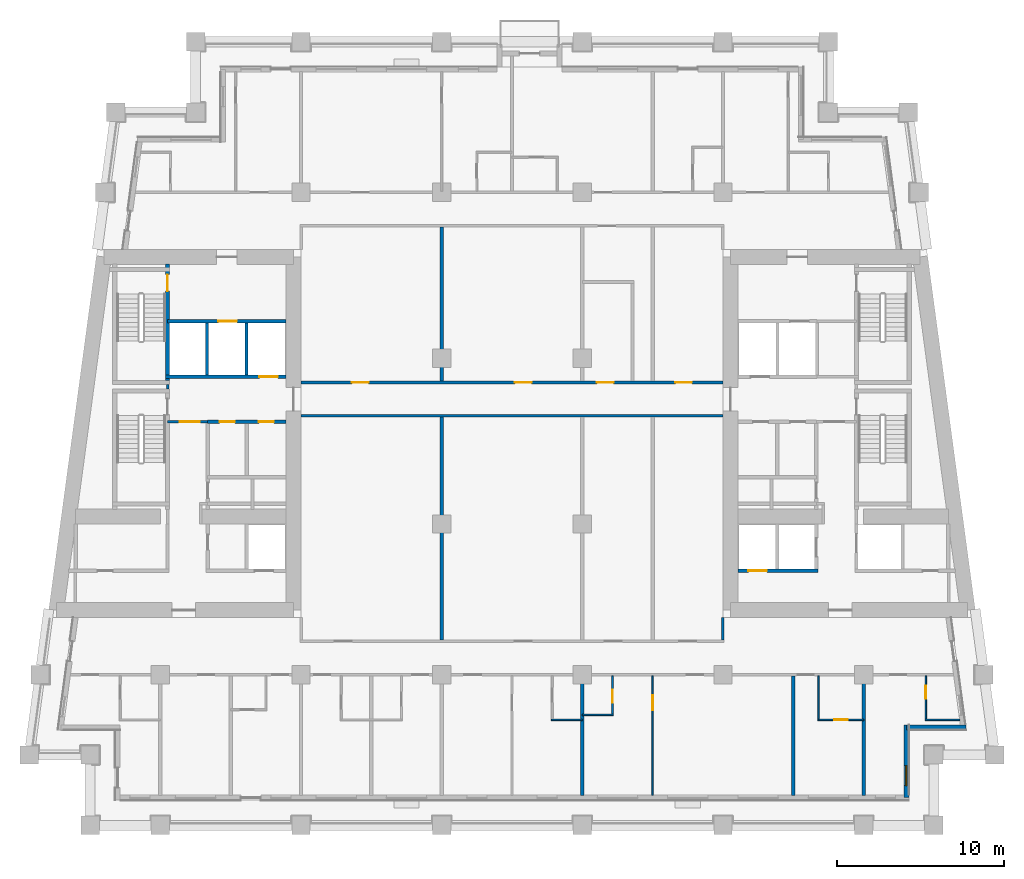
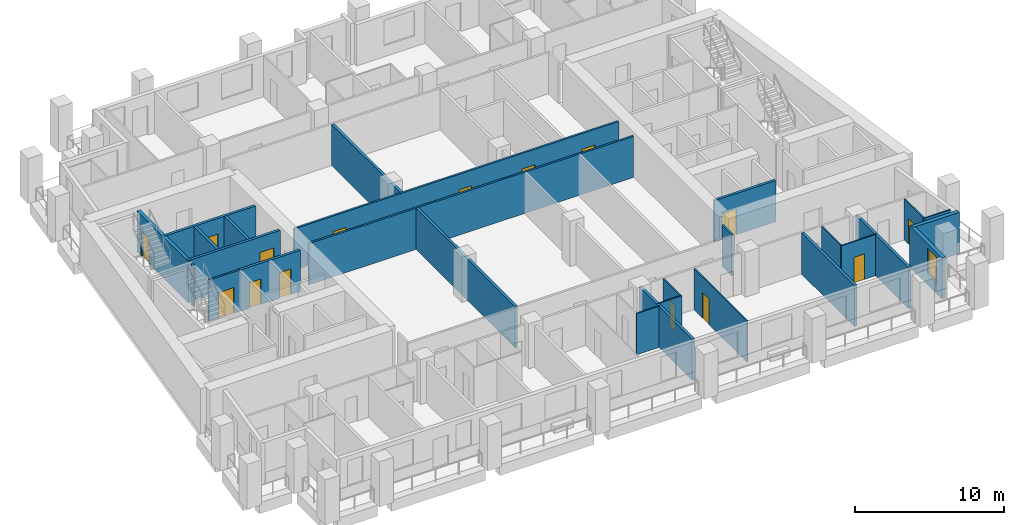
# One storey, part 4 of 13: 27 walls, 15 doors, 1 window, 16 openings.
"""IFC4 building model written with IfcOpenShell, lengths in metres."""

from ifc_helpers import new_model, si_unit, direction, frame, frame_2d, origin, place, context, subcontext, project, spatial, rectangle, extrude, material, layer, layer_set, type_object, element, fill, save


model = new_model("IFC4")

# Units and contexts
model_context = context("Model", 3, precision=1e-05, world=origin(), true_north=direction((0.0, 1.0)))
body_context = subcontext(model_context, "Body", "Model", "MODEL_VIEW")
ifc_project = project(units=[si_unit("LENGTHUNIT", "METRE"), si_unit("AREAUNIT", "SQUARE_METRE"), si_unit("VOLUMEUNIT", "CUBIC_METRE"), si_unit("PLANEANGLEUNIT", "RADIAN"), si_unit("MASSUNIT", "GRAM", prefix="KILO")], contexts=[model_context])

# Site, building, storey
site_placement = place(None, origin())
site = spatial("IfcSite", under=ifc_project, at=site_placement, CompositionType="ELEMENT")
building_placement = place(site_placement, origin())
building = spatial("IfcBuilding", under=site, at=building_placement, Name="Candeia Pilgrim Tower and Theatre", CompositionType="ELEMENT")
storey_placement = place(building_placement, frame((0.0, 0.0, 151.5)))
storey = spatial("IfcBuildingStorey", under=building, at=storey_placement, Name="L35", CompositionType="ELEMENT", Elevation=151.5)

# Wall, opening, window
ifc_material_1 = material(Name="Ceramic block masonry", Category="masonry")
ifc_layer_1 = layer(ifc_material_1, 0.300048828125)
ifc_layer_set_1 = layer_set([ifc_layer_1], Name="EW1 glazing-line wall 300")
wall_type_1 = type_object("IfcWallType", Name="EW1 glazing-line wall 300", PredefinedType="SOLIDWALL", material=ifc_layer_set_1)
wall_1_placement = place(storey_placement, frame((136.949951171875, 99.64990234375, 0.0), z_axis=(0.0, 0.0, 1.0), x_axis=(0.0, 1.0, 0.0)))
wall_1 = element("IfcWall", 1, at=wall_1_placement, inside=storey, type_object=wall_type_1, Name="External wall L35-1.0", PredefinedType="SOLIDWALL", context=body_context, shape_type="SweptSolid", body=[
    extrude(rectangle(XDim=4.35009765625, YDim=0.300048828125, at=frame_2d((2.175048828125, 0.0))), origin(), (0.0, 0.0, 1.0), 3.3798828125),
])
opening_1_placement = place(wall_1_placement, frame((0.72509765625, 0.0, 0.89990234375)))
opening_1 = element("IfcOpeningElement", 2, at=opening_1_placement, cuts=wall_1, Name="Opening W-B", PredefinedType="OPENING", context=body_context, shape_type="SweptSolid", body=[
    extrude(rectangle(XDim=1.199951171875, YDim=2.10009765625, at=frame_2d((0.60009765625, 1.050048828125))), frame((0.0, 0.16015625, 0.0), z_axis=(0.0, -1.0, 0.0), x_axis=(1.0, 0.0, 0.0)), (0.0, 0.0, 1.0), 0.320068359375),
])
ifc_material_2 = material(Name="Aluminium framed double glazing", Category="aluminium")
window_type = type_object("IfcWindowType", Name="W-B window 1200x2100", PartitioningType="SINGLE_PANEL", PredefinedType="WINDOW", material=ifc_material_2)
window_placement = place(opening_1_placement, origin())
window = element("IfcWindow", 3, at=window_placement, inside=storey, type_object=window_type, Name="Window W-B L35", OverallHeight=2.10009765625, OverallWidth=1.199951171875, PartitioningType="SINGLE_PANEL", PredefinedType="WINDOW", context=body_context, shape_type="SweptSolid", body=[
    extrude(rectangle(XDim=1.199951171875, YDim=2.10009765625, at=frame_2d((0.60009765625, 1.050048828125))), frame((0.0, 0.030029296875, 0.0), z_axis=(0.0, -1.0, 0.0), x_axis=(1.0, 0.0, 0.0)), (0.0, 0.0, 1.0), 0.06005859375),
])
fill(opening_1, window)

# Walls
wall_2_placement = place(storey_placement, frame((136.949951171875, 103.85009765625, 0.0), z_axis=(0.0, 0.0, 1.0), x_axis=(1.0, 0.0, 0.0)))
element("IfcWall", 4, at=wall_2_placement, inside=storey, type_object=wall_type_1, Name="External wall L35-2.0", PredefinedType="SOLIDWALL", context=body_context, shape_type="SweptSolid", body=[
    extrude(rectangle(XDim=3.569091796875, YDim=0.300048828125, at=frame_2d((1.78466796875, 0.0))), origin(), (0.0, 0.0, 1.0), 3.3798828125),
])
ifc_material_3 = material(Name="Gypsum board partition on steel studs", Category="steel")
ifc_layer_2 = layer(ifc_material_3, 0.10009765625)
ifc_layer_set_2 = layer_set([ifc_layer_2], Name="PW-100 room partition")
wall_type_2 = type_object("IfcWallType", Name="PW-100 room partition", PredefinedType="PARTITIONING", material=ifc_layer_set_2)
wall_3_placement = place(storey_placement, frame((115.75, 104.300048828125, 0.0), z_axis=(0.0, 0.0, 1.0), x_axis=(1.0, 0.0, 0.0)))
element("IfcWall", 5, at=wall_3_placement, inside=storey, type_object=wall_type_2, Name="Room partition L35-003", PredefinedType="PARTITIONING", context=body_context, shape_type="SweptSolid", body=[
    extrude(rectangle(XDim=1.85009765625, YDim=0.10009765625, at=frame_2d((0.925048828125, 0.0))), origin(), (0.0, 0.0, 1.0), 3.3798828125),
])

# Wall, opening, door
wall_4_placement = place(storey_placement, frame((131.64990234375, 104.300048828125, 0.0), z_axis=(0.0, 0.0, 1.0), x_axis=(1.0, 0.0, 0.0)))
wall_4 = element("IfcWall", 6, at=wall_4_placement, inside=storey, type_object=wall_type_2, Name="Room partition L35-004", PredefinedType="PARTITIONING", context=body_context, shape_type="SweptSolid", body=[
    extrude(rectangle(XDim=2.75, YDim=0.10009765625, at=frame_2d((1.375, 0.0))), origin(), (0.0, 0.0, 1.0), 3.3798828125),
])
opening_2_placement = place(wall_4_placement, frame((1.0, 0.0, 0.0)))
opening_2 = element("IfcOpeningElement", 7, at=opening_2_placement, cuts=wall_4, Name="Opening L35-D032", PredefinedType="OPENING", context=body_context, shape_type="SweptSolid", body=[
    extrude(rectangle(XDim=0.800048828125, YDim=2.10009765625, at=frame_2d((0.39990234375, 1.050048828125))), frame((0.0, 0.06005859375, 0.0), z_axis=(0.0, -1.0, 0.0), x_axis=(1.0, 0.0, 0.0)), (0.0, 0.0, 1.0), 0.1201171875),
])
ifc_material_4 = material(Name="Timber door leaf", Category="wood")
door_type_1 = type_object("IfcDoorType", Name="D-800", OperationType="NOTDEFINED", PredefinedType="DOOR", material=ifc_material_4)
door_1_placement = place(opening_2_placement, origin())
door_1 = element("IfcDoor", 8, at=door_1_placement, inside=storey, type_object=door_type_1, Name="Door L35-D032", OperationType="SINGLE_SWING_LEFT", OverallHeight=2.10009765625, OverallWidth=0.800048828125, PredefinedType="DOOR", context=body_context, shape_type="SweptSolid", body=[
    extrude(rectangle(XDim=0.800048828125, YDim=2.10009765625, at=frame_2d((0.39990234375, 1.050048828125))), frame((0.0, 0.02490234375, 0.0), z_axis=(0.0, -1.0, 0.0), x_axis=(1.0, 0.0, 0.0)), (0.0, 0.0, 1.0), 0.050048828125),
])
fill(opening_2, door_1)

# Walls
wall_5_placement = place(storey_placement, frame((138.070068359375, 104.300048828125, 0.0), z_axis=(0.0, 0.0, 1.0), x_axis=(1.0, 0.0, 0.0)))
element("IfcWall", 9, at=wall_5_placement, inside=storey, type_object=wall_type_2, Name="Room partition L35-005", PredefinedType="PARTITIONING", context=body_context, shape_type="SweptSolid", body=[
    extrude(rectangle(XDim=2.07568359375, YDim=0.10009765625, at=frame_2d((1.037841796875, 0.0))), origin(), (0.0, 0.0, 1.0), 3.3798828125),
])
wall_6_placement = place(storey_placement, frame((117.60009765625, 104.60009765625, 0.0), z_axis=(0.0, 0.0, 1.0), x_axis=(1.0, 0.0, 0.0)))
element("IfcWall", 10, at=wall_6_placement, inside=storey, type_object=wall_type_2, Name="Room partition L35-006", PredefinedType="PARTITIONING", context=body_context, shape_type="SweptSolid", body=[
    extrude(rectangle(XDim=1.849853515625, YDim=0.10009765625, at=frame_2d((0.9248046875, 0.0))), origin(), (0.0, 0.0, 1.0), 3.3798828125),
])

# Wall, opening, door
wall_7_placement = place(storey_placement, frame((119.39990234375, 104.64990234375, 0.0), z_axis=(0.0, 0.0, 1.0), x_axis=(0.0, 1.0, 0.0)))
wall_7 = element("IfcWall", 11, at=wall_7_placement, inside=storey, type_object=wall_type_2, Name="Room partition L35-090", PredefinedType="PARTITIONING", context=body_context, shape_type="SweptSolid", body=[
    extrude(rectangle(XDim=2.275146484375, YDim=0.10009765625, at=frame_2d((1.1376953125, 0.0))), origin(), (0.0, 0.0, 1.0), 3.3798828125),
])
opening_3_placement = place(wall_7_placement, frame((0.659912109375, 0.0, 0.0)))
opening_3 = element("IfcOpeningElement", 12, at=opening_3_placement, cuts=wall_7, Name="Opening L35-D030", PredefinedType="OPENING", context=body_context, shape_type="SweptSolid", body=[
    extrude(rectangle(XDim=0.800048828125, YDim=2.10009765625, at=frame_2d((0.39990234375, 1.050048828125))), frame((0.0, 0.06005859375, 0.0), z_axis=(0.0, -1.0, 0.0), x_axis=(1.0, 0.0, 0.0)), (0.0, 0.0, 1.0), 0.1201171875),
])
door_2_placement = place(opening_3_placement, origin())
door_2 = element("IfcDoor", 13, at=door_2_placement, inside=storey, type_object=door_type_1, Name="Door L35-D030", OperationType="SINGLE_SWING_LEFT", OverallHeight=2.10009765625, OverallWidth=0.800048828125, PredefinedType="DOOR", context=body_context, shape_type="SweptSolid", body=[
    extrude(rectangle(XDim=0.800048828125, YDim=2.10009765625, at=frame_2d((0.39990234375, 1.050048828125))), frame((0.0, 0.02490234375, 0.0), z_axis=(0.0, -1.0, 0.0), x_axis=(1.0, 0.0, 0.0)), (0.0, 0.0, 1.0), 0.050048828125),
])
fill(opening_3, door_2)

wall_8_placement = place(storey_placement, frame((121.800048828125, 99.7900390625, 0.0), z_axis=(0.0, 0.0, 1.0), x_axis=(0.0, 1.0, 0.0)))
wall_8 = element("IfcWall", 14, at=wall_8_placement, inside=storey, type_object=wall_type_2, Name="Room partition L35-092", PredefinedType="PARTITIONING", context=body_context, shape_type="SweptSolid", body=[
    extrude(rectangle(XDim=7.135009765625, YDim=0.10009765625, at=frame_2d((3.5673828125, 0.0))), origin(), (0.0, 0.0, 1.0), 3.3798828125),
])
opening_4_placement = place(wall_8_placement, frame((5.074951171875, 0.0, 0.0)))
opening_4 = element("IfcOpeningElement", 15, at=opening_4_placement, cuts=wall_8, Name="Opening L35-D029", PredefinedType="OPENING", context=body_context, shape_type="SweptSolid", body=[
    extrude(rectangle(XDim=0.89990234375, YDim=2.10009765625, at=frame_2d((0.449951171875, 1.050048828125))), frame((0.0, 0.06005859375, 0.0), z_axis=(0.0, -1.0, 0.0), x_axis=(1.0, 0.0, 0.0)), (0.0, 0.0, 1.0), 0.1201171875),
])
door_type_2 = type_object("IfcDoorType", Name="D-900", OperationType="NOTDEFINED", PredefinedType="DOOR", material=ifc_material_4)
door_3_placement = place(opening_4_placement, origin())
door_3 = element("IfcDoor", 16, at=door_3_placement, inside=storey, type_object=door_type_2, Name="Door L35-D029", OperationType="SINGLE_SWING_RIGHT", OverallHeight=2.10009765625, OverallWidth=0.89990234375, PredefinedType="DOOR", context=body_context, shape_type="SweptSolid", body=[
    extrude(rectangle(XDim=0.89990234375, YDim=2.10009765625, at=frame_2d((0.449951171875, 1.050048828125))), frame((0.0, 0.02490234375, 0.0), z_axis=(0.0, -1.0, 0.0), x_axis=(1.0, 0.0, 0.0)), (0.0, 0.0, 1.0), 0.050048828125),
])
fill(opening_4, door_3)

# Wall
wall_9_placement = place(storey_placement, frame((131.699951171875, 104.35009765625, 0.0), z_axis=(0.0, 0.0, 1.0), x_axis=(0.0, 1.0, 0.0)))
element("IfcWall", 17, at=wall_9_placement, inside=storey, type_object=wall_type_2, Name="Room partition L35-109", PredefinedType="PARTITIONING", context=body_context, shape_type="SweptSolid", body=[
    extrude(rectangle(XDim=2.574951171875, YDim=0.10009765625, at=frame_2d((1.28759765625, 0.0))), origin(), (0.0, 0.0, 1.0), 3.3798828125),
])

# Wall, opening, door
wall_10_placement = place(storey_placement, frame((138.1201171875, 104.35009765625, 0.0), z_axis=(0.0, 0.0, 1.0), x_axis=(0.0, 1.0, 0.0)))
wall_10 = element("IfcWall", 18, at=wall_10_placement, inside=storey, type_object=wall_type_2, Name="Room partition L35-121", PredefinedType="PARTITIONING", context=body_context, shape_type="SweptSolid", body=[
    extrude(rectangle(XDim=2.574951171875, YDim=0.10009765625, at=frame_2d((1.28759765625, 0.0))), origin(), (0.0, 0.0, 1.0), 3.3798828125),
])
opening_5_placement = place(wall_10_placement, frame((1.199951171875, 0.0, 0.0)))
opening_5 = element("IfcOpeningElement", 19, at=opening_5_placement, cuts=wall_10, Name="Opening L35-D034", PredefinedType="OPENING", context=body_context, shape_type="SweptSolid", body=[
    extrude(rectangle(XDim=0.800048828125, YDim=2.10009765625, at=frame_2d((0.39990234375, 1.050048828125))), frame((0.0, 0.06005859375, 0.0), z_axis=(0.0, -1.0, 0.0), x_axis=(1.0, 0.0, 0.0)), (0.0, 0.0, 1.0), 0.1201171875),
])
door_4_placement = place(opening_5_placement, origin())
door_4 = element("IfcDoor", 20, at=door_4_placement, inside=storey, type_object=door_type_1, Name="Door L35-D034", OperationType="SINGLE_SWING_LEFT", OverallHeight=2.10009765625, OverallWidth=0.800048828125, PredefinedType="DOOR", context=body_context, shape_type="SweptSolid", body=[
    extrude(rectangle(XDim=0.800048828125, YDim=2.10009765625, at=frame_2d((0.39990234375, 1.050048828125))), frame((0.0, 0.02490234375, 0.0), z_axis=(0.0, -1.0, 0.0), x_axis=(1.0, 0.0, 0.0)), (0.0, 0.0, 1.0), 0.050048828125),
])
fill(opening_5, door_4)

ifc_layer_3 = layer(ifc_material_3, 0.14990234375)
ifc_layer_set_3 = layer_set([ifc_layer_3], Name="PW-150 lobby wall")
wall_type_3 = type_object("IfcWallType", Name="PW-150 lobby wall", PredefinedType="PARTITIONING", material=ifc_layer_set_3)
wall_11_placement = place(storey_placement, frame((92.826904296875, 122.10009765625, 0.0), z_axis=(0.0, 0.0, 1.0), x_axis=(1.0, 0.0, 0.0)))
wall_11 = element("IfcWall", 21, at=wall_11_placement, inside=storey, type_object=wall_type_3, Name="Lobby wall L35-024", PredefinedType="PARTITIONING", context=body_context, shape_type="SweptSolid", body=[
    extrude(rectangle(XDim=2.400146484375, YDim=0.14990234375, at=frame_2d((1.2001953125, 0.0))), origin(), (0.0, 0.0, 1.0), 3.3798828125),
])
opening_6_placement = place(wall_11_placement, frame((0.72509765625, 0.0, 0.0)))
opening_6 = element("IfcOpeningElement", 22, at=opening_6_placement, cuts=wall_11, Name="Opening L35-D001", PredefinedType="OPENING", context=body_context, shape_type="SweptSolid", body=[
    extrude(rectangle(XDim=1.199951171875, YDim=2.10009765625, at=frame_2d((0.60009765625, 1.050048828125))), frame((0.0, 0.0849609375, 0.0), z_axis=(0.0, -1.0, 0.0), x_axis=(1.0, 0.0, 0.0)), (0.0, 0.0, 1.0), 0.169921875),
])
ifc_material_5 = material(Name="Steel fire door set", Category="steel")
door_type_3 = type_object("IfcDoorType", Name="D-1200-FD60", OperationType="NOTDEFINED", PredefinedType="DOOR", material=ifc_material_5)
door_5_placement = place(opening_6_placement, origin())
door_5 = element("IfcDoor", 23, at=door_5_placement, inside=storey, type_object=door_type_3, Name="Door L35-D001", OperationType="SINGLE_SWING_RIGHT", OverallHeight=2.10009765625, OverallWidth=1.199951171875, PredefinedType="DOOR", context=body_context, shape_type="SweptSolid", body=[
    extrude(rectangle(XDim=1.199951171875, YDim=2.10009765625, at=frame_2d((0.60009765625, 1.050048828125))), frame((0.0, 0.02490234375, 0.0), z_axis=(0.0, -1.0, 0.0), x_axis=(1.0, 0.0, 0.0)), (0.0, 0.0, 1.0), 0.050048828125),
])
fill(opening_6, door_5)

# Walls
wall_12_placement = place(storey_placement, frame((92.826904296875, 124.074951171875, 0.0), z_axis=(0.0, 0.0, 1.0), x_axis=(0.0, 1.0, 0.0)))
element("IfcWall", 24, at=wall_12_placement, inside=storey, type_object=wall_type_3, Name="Lobby wall L35-056", PredefinedType="PARTITIONING", context=body_context, shape_type="SweptSolid", body=[
    extrude(rectangle(XDim=0.25, YDim=0.14990234375, at=frame_2d((0.125, 0.0))), origin(), (0.0, 0.0, 1.0), 3.3798828125),
])
ifc_layer_4 = layer(ifc_material_3, 0.14990234375)
ifc_layer_set_4 = layer_set([ifc_layer_4], Name="PW-150 unit wall")
wall_type_4 = type_object("IfcWallType", Name="PW-150 unit wall", PredefinedType="PARTITIONING", material=ifc_layer_set_4)
wall_13_placement = place(storey_placement, frame((100.800048828125, 122.449951171875, 0.0), z_axis=(0.0, 0.0, 1.0), x_axis=(1.0, 0.0, 0.0)))
element("IfcWall", 25, at=wall_13_placement, inside=storey, type_object=wall_type_4, Name="Unit wall L35-026", PredefinedType="PARTITIONING", context=body_context, shape_type="SweptSolid", body=[
    extrude(rectangle(XDim=25.199951171875, YDim=0.14990234375, at=frame_2d((12.60009765625, 0.0))), origin(), (0.0, 0.0, 1.0), 3.3798828125),
])

# Wall, openings, doors
wall_14_placement = place(storey_placement, frame((100.800048828125, 124.449951171875, 0.0), z_axis=(0.0, 0.0, 1.0), x_axis=(1.0, 0.0, 0.0)))
wall_14 = element("IfcWall", 26, at=wall_14_placement, inside=storey, type_object=wall_type_4, Name="Unit wall L35-031", PredefinedType="PARTITIONING", context=body_context, shape_type="SweptSolid", body=[
    extrude(rectangle(XDim=25.199951171875, YDim=0.14990234375, at=frame_2d((12.60009765625, 0.0))), origin(), (0.0, 0.0, 1.0), 3.3798828125),
])
opening_7_placement = place(wall_14_placement, frame((3.030029296875, 0.0, 0.0)))
opening_7 = element("IfcOpeningElement", 27, at=opening_7_placement, cuts=wall_14, Name="Opening L35-D053", PredefinedType="OPENING", context=body_context, shape_type="SweptSolid", body=[
    extrude(rectangle(XDim=1.0, YDim=2.10009765625, at=frame_2d((0.5, 1.050048828125))), frame((0.0, 0.0849609375, 0.0), z_axis=(0.0, -1.0, 0.0), x_axis=(1.0, 0.0, 0.0)), (0.0, 0.0, 1.0), 0.169921875),
])
opening_8_placement = place(wall_14_placement, frame((12.77001953125, 0.0, 0.0)))
opening_8 = element("IfcOpeningElement", 28, at=opening_8_placement, cuts=wall_14, Name="Opening L35-D054", PredefinedType="OPENING", context=body_context, shape_type="SweptSolid", body=[
    extrude(rectangle(XDim=1.0, YDim=2.10009765625, at=frame_2d((0.5, 1.050048828125))), frame((0.0, 0.0849609375, 0.0), z_axis=(0.0, -1.0, 0.0), x_axis=(1.0, 0.0, 0.0)), (0.0, 0.0, 1.0), 0.169921875),
])
opening_9_placement = place(wall_14_placement, frame((17.669921875, 0.0, 0.0)))
opening_9 = element("IfcOpeningElement", 29, at=opening_9_placement, cuts=wall_14, Name="Opening L35-D055", PredefinedType="OPENING", context=body_context, shape_type="SweptSolid", body=[
    extrude(rectangle(XDim=1.0, YDim=2.10009765625, at=frame_2d((0.5, 1.050048828125))), frame((0.0, 0.0849609375, 0.0), z_axis=(0.0, -1.0, 0.0), x_axis=(1.0, 0.0, 0.0)), (0.0, 0.0, 1.0), 0.169921875),
])
opening_10_placement = place(wall_14_placement, frame((22.35009765625, 0.0, 0.0)))
opening_10 = element("IfcOpeningElement", 30, at=opening_10_placement, cuts=wall_14, Name="Opening L35-D056", PredefinedType="OPENING", context=body_context, shape_type="SweptSolid", body=[
    extrude(rectangle(XDim=1.0, YDim=2.10009765625, at=frame_2d((0.5, 1.050048828125))), frame((0.0, 0.0849609375, 0.0), z_axis=(0.0, -1.0, 0.0), x_axis=(1.0, 0.0, 0.0)), (0.0, 0.0, 1.0), 0.169921875),
])
door_type_4 = type_object("IfcDoorType", Name="D-1000-FD30S", OperationType="NOTDEFINED", PredefinedType="DOOR", material=ifc_material_5)
door_6_placement = place(opening_7_placement, origin())
door_6 = element("IfcDoor", 31, at=door_6_placement, inside=storey, type_object=door_type_4, Name="Door L35-D053", OperationType="SINGLE_SWING_RIGHT", OverallHeight=2.10009765625, OverallWidth=1.0, PredefinedType="DOOR", context=body_context, shape_type="SweptSolid", body=[
    extrude(rectangle(XDim=1.0, YDim=2.10009765625, at=frame_2d((0.5, 1.050048828125))), frame((0.0, 0.02490234375, 0.0), z_axis=(0.0, -1.0, 0.0), x_axis=(1.0, 0.0, 0.0)), (0.0, 0.0, 1.0), 0.050048828125),
])
fill(opening_7, door_6)
door_7_placement = place(opening_8_placement, origin())
door_7 = element("IfcDoor", 32, at=door_7_placement, inside=storey, type_object=door_type_4, Name="Door L35-D054", OperationType="SINGLE_SWING_LEFT", OverallHeight=2.10009765625, OverallWidth=1.0, PredefinedType="DOOR", context=body_context, shape_type="SweptSolid", body=[
    extrude(rectangle(XDim=1.0, YDim=2.10009765625, at=frame_2d((0.5, 1.050048828125))), frame((0.0, 0.02490234375, 0.0), z_axis=(0.0, -1.0, 0.0), x_axis=(1.0, 0.0, 0.0)), (0.0, 0.0, 1.0), 0.050048828125),
])
fill(opening_8, door_7)
door_8_placement = place(opening_9_placement, origin())
door_8 = element("IfcDoor", 33, at=door_8_placement, inside=storey, type_object=door_type_4, Name="Door L35-D055", OperationType="SINGLE_SWING_RIGHT", OverallHeight=2.10009765625, OverallWidth=1.0, PredefinedType="DOOR", context=body_context, shape_type="SweptSolid", body=[
    extrude(rectangle(XDim=1.0, YDim=2.10009765625, at=frame_2d((0.5, 1.050048828125))), frame((0.0, 0.02490234375, 0.0), z_axis=(0.0, -1.0, 0.0), x_axis=(1.0, 0.0, 0.0)), (0.0, 0.0, 1.0), 0.050048828125),
])
fill(opening_9, door_8)
door_9_placement = place(opening_10_placement, origin())
door_9 = element("IfcDoor", 34, at=door_9_placement, inside=storey, type_object=door_type_4, Name="Door L35-D056", OperationType="SINGLE_SWING_LEFT", OverallHeight=2.10009765625, OverallWidth=1.0, PredefinedType="DOOR", context=body_context, shape_type="SweptSolid", body=[
    extrude(rectangle(XDim=1.0, YDim=2.10009765625, at=frame_2d((0.5, 1.050048828125))), frame((0.0, 0.02490234375, 0.0), z_axis=(0.0, -1.0, 0.0), x_axis=(1.0, 0.0, 0.0)), (0.0, 0.0, 1.0), 0.050048828125),
])
fill(opening_10, door_9)

# Walls
wall_15_placement = place(storey_placement, frame((126.0, 109.074951171875, 0.0), z_axis=(0.0, 0.0, 1.0), x_axis=(0.0, 1.0, 0.0)))
element("IfcWall", 35, at=wall_15_placement, inside=storey, type_object=wall_type_4, Name="Unit wall L35-098", PredefinedType="PARTITIONING", context=body_context, shape_type="SweptSolid", body=[
    extrude(rectangle(XDim=1.324951171875, YDim=0.14990234375, at=frame_2d((0.66259765625, 0.0))), origin(), (0.0, 0.0, 1.0), 3.3798828125),
])
ifc_layer_5 = layer(ifc_material_3, 0.199951171875)
ifc_layer_set_5 = layer_set([ifc_layer_5], Name="PW-200 party wall")
wall_type_5 = type_object("IfcWallType", Name="PW-200 party wall", PredefinedType="PARTITIONING", material=ifc_layer_set_5)
wall_16_placement = place(storey_placement, frame((109.199951171875, 109.074951171875, 0.0), z_axis=(0.0, 0.0, 1.0), x_axis=(0.0, 1.0, 0.0)))
element("IfcWall", 36, at=wall_16_placement, inside=storey, type_object=wall_type_5, Name="Party wall L35-080", PredefinedType="PARTITIONING", context=body_context, shape_type="SweptSolid", body=[
    extrude(rectangle(XDim=13.300048828125, YDim=0.199951171875, at=frame_2d((6.64990234375, 0.0))), origin(), (0.0, 0.0, 1.0), 3.3798828125),
])
wall_17_placement = place(storey_placement, frame((109.199951171875, 124.52490234375, 0.0), z_axis=(0.0, 0.0, 1.0), x_axis=(0.0, 1.0, 0.0)))
element("IfcWall", 37, at=wall_17_placement, inside=storey, type_object=wall_type_5, Name="Party wall L35-081", PredefinedType="PARTITIONING", context=body_context, shape_type="SweptSolid", body=[
    extrude(rectangle(XDim=9.2001953125, YDim=0.199951171875, at=frame_2d((4.60009765625, 0.0))), origin(), (0.0, 0.0, 1.0), 3.3798828125),
])
for number, where, z_axis, x_axis, name in (
    (38, (117.60009765625, 99.7900390625, 0.0), (0.0, 0.0, 1.0), (0.0, 1.0, 0.0), "Party wall L35-087"),
    (39, (130.199951171875, 99.7900390625, 0.0), (0.0, 0.0, 1.0), (0.0, 1.0, 0.0), "Party wall L35-105"),
    (40, (134.39990234375, 99.7900390625, 0.0), (0.0, 0.0, 1.0), (0.0, 1.0, 0.0), "Party wall L35-117"),
):
    element("IfcWall", number, at=place(storey_placement, frame(where, z_axis=z_axis, x_axis=x_axis)), inside=storey, type_object=wall_type_5, Name=name, PredefinedType="PARTITIONING", context=body_context, shape_type="SweptSolid", body=[
        extrude(rectangle(XDim=7.135009765625, YDim=0.199951171875, at=frame_2d((3.5673828125, 0.0))), origin(), (0.0, 0.0, 1.0), 3.3798828125),
    ])

# Wall, opening, door
ifc_material_6 = material(Name="Concrete C40/50", Category="concrete")
ifc_layer_6 = layer(ifc_material_6, 0.199951171875)
ifc_layer_set_6 = layer_set([ifc_layer_6], Name="SW-200 shaft wall")
wall_type_6 = type_object("IfcWallType", Name="SW-200 shaft wall", PredefinedType="PARTITIONING", material=ifc_layer_set_6)
wall_18_placement = place(storey_placement, frame((126.89990234375, 113.199951171875, 0.0), z_axis=(0.0, 0.0, 1.0), x_axis=(1.0, 0.0, 0.0)))
wall_18 = element("IfcWall", 41, at=wall_18_placement, inside=storey, type_object=wall_type_6, Name="Shaft wall L35-012", PredefinedType="PARTITIONING", context=body_context, shape_type="SweptSolid", body=[
    extrude(rectangle(XDim=4.773193359375, YDim=0.199951171875, at=frame_2d((2.38671875, 0.0))), origin(), (0.0, 0.0, 1.0), 3.3798828125),
])
opening_11_placement = place(wall_18_placement, frame((0.617919921875, 0.0, 0.0)))
opening_11 = element("IfcOpeningElement", 42, at=opening_11_placement, cuts=wall_18, Name="Opening L35-LD08", PredefinedType="OPENING", context=body_context, shape_type="SweptSolid", body=[
    extrude(rectangle(XDim=1.10009765625, YDim=2.10009765625, at=frame_2d((0.550048828125, 1.050048828125))), frame((0.0, 0.10986328125, 0.0), z_axis=(0.0, -1.0, 0.0), x_axis=(1.0, 0.0, 0.0)), (0.0, 0.0, 1.0), 0.219970703125),
])
ifc_material_7 = material(Name="Glazed aluminium landing door", Category="aluminium")
door_type_5 = type_object("IfcDoorType", Name="LD-1100-EI120", OperationType="SLIDING_TO_LEFT", PredefinedType="DOOR", material=ifc_material_7)
door_10_placement = place(opening_11_placement, origin())
door_10 = element("IfcDoor", 43, at=door_10_placement, inside=storey, type_object=door_type_5, Name="Landing door 08 L35", OperationType="SLIDING_TO_LEFT", OverallHeight=2.10009765625, OverallWidth=1.10009765625, PredefinedType="DOOR", context=body_context, shape_type="SweptSolid", body=[
    extrude(rectangle(XDim=1.10009765625, YDim=2.10009765625, at=frame_2d((0.550048828125, 1.050048828125))), frame((0.0, 0.02490234375, 0.0), z_axis=(0.0, -1.0, 0.0), x_axis=(1.0, 0.0, 0.0)), (0.0, 0.0, 1.0), 0.050048828125),
])
fill(opening_11, door_10)

# Wall, openings, doors
wall_19_placement = place(storey_placement, frame((95.22705078125, 122.10009765625, 0.0), z_axis=(0.0, 0.0, 1.0), x_axis=(1.0, 0.0, 0.0)))
wall_19 = element("IfcWall", 44, at=wall_19_placement, inside=storey, type_object=wall_type_6, Name="Shaft wall L35-022", PredefinedType="PARTITIONING", context=body_context, shape_type="SweptSolid", body=[
    extrude(rectangle(XDim=4.6728515625, YDim=0.199951171875, at=frame_2d((2.33642578125, 0.0))), origin(), (0.0, 0.0, 1.0), 3.3798828125),
])
opening_12_placement = place(wall_19_placement, frame((0.718017578125, 0.0, 0.0)))
opening_12 = element("IfcOpeningElement", 45, at=opening_12_placement, cuts=wall_19, Name="Opening L35-D002", PredefinedType="OPENING", context=body_context, shape_type="SweptSolid", body=[
    extrude(rectangle(XDim=0.89990234375, YDim=2.10009765625, at=frame_2d((0.449951171875, 1.050048828125))), frame((0.0, 0.10986328125, 0.0), z_axis=(0.0, -1.0, 0.0), x_axis=(1.0, 0.0, 0.0)), (0.0, 0.0, 1.0), 0.219970703125),
])
opening_13_placement = place(wall_19_placement, frame((3.054931640625, 0.0, 0.0)))
opening_13 = element("IfcOpeningElement", 46, at=opening_13_placement, cuts=wall_19, Name="Opening L35-D003", PredefinedType="OPENING", context=body_context, shape_type="SweptSolid", body=[
    extrude(rectangle(XDim=0.89990234375, YDim=2.10009765625, at=frame_2d((0.449951171875, 1.050048828125))), frame((0.0, 0.10986328125, 0.0), z_axis=(0.0, -1.0, 0.0), x_axis=(1.0, 0.0, 0.0)), (0.0, 0.0, 1.0), 0.219970703125),
])
door_type_6 = type_object("IfcDoorType", Name="D-900-FD60", OperationType="NOTDEFINED", PredefinedType="DOOR", material=ifc_material_5)
door_11_placement = place(opening_12_placement, origin())
door_11 = element("IfcDoor", 47, at=door_11_placement, inside=storey, type_object=door_type_6, Name="Door L35-D002", OperationType="SINGLE_SWING_LEFT", OverallHeight=2.10009765625, OverallWidth=0.89990234375, PredefinedType="DOOR", context=body_context, shape_type="SweptSolid", body=[
    extrude(rectangle(XDim=0.89990234375, YDim=2.10009765625, at=frame_2d((0.449951171875, 1.050048828125))), frame((0.0, 0.02490234375, 0.0), z_axis=(0.0, -1.0, 0.0), x_axis=(1.0, 0.0, 0.0)), (0.0, 0.0, 1.0), 0.050048828125),
])
fill(opening_12, door_11)
door_12_placement = place(opening_13_placement, origin())
door_12 = element("IfcDoor", 48, at=door_12_placement, inside=storey, type_object=door_type_6, Name="Door L35-D003", OperationType="SINGLE_SWING_RIGHT", OverallHeight=2.10009765625, OverallWidth=0.89990234375, PredefinedType="DOOR", context=body_context, shape_type="SweptSolid", body=[
    extrude(rectangle(XDim=0.89990234375, YDim=2.10009765625, at=frame_2d((0.449951171875, 1.050048828125))), frame((0.0, 0.02490234375, 0.0), z_axis=(0.0, -1.0, 0.0), x_axis=(1.0, 0.0, 0.0)), (0.0, 0.0, 1.0), 0.050048828125),
])
fill(opening_13, door_12)

# Wall, opening, door
wall_20_placement = place(storey_placement, frame((92.701904296875, 124.800048828125, 0.0), z_axis=(0.0, 0.0, 1.0), x_axis=(1.0, 0.0, 0.0)))
wall_20 = element("IfcWall", 49, at=wall_20_placement, inside=storey, type_object=wall_type_6, Name="Shaft wall L35-032", PredefinedType="PARTITIONING", context=body_context, shape_type="SweptSolid", body=[
    extrude(rectangle(XDim=7.197998046875, YDim=0.199951171875, at=frame_2d((3.59912109375, 0.0))), origin(), (0.0, 0.0, 1.0), 3.3798828125),
])
opening_14_placement = place(wall_20_placement, frame((5.60888671875, 0.0, 0.0)))
opening_14 = element("IfcOpeningElement", 50, at=opening_14_placement, cuts=wall_20, Name="Opening L35-LD02", PredefinedType="OPENING", context=body_context, shape_type="SweptSolid", body=[
    extrude(rectangle(XDim=1.10009765625, YDim=2.10009765625, at=frame_2d((0.550048828125, 1.050048828125))), frame((0.0, 0.10986328125, 0.0), z_axis=(0.0, -1.0, 0.0), x_axis=(1.0, 0.0, 0.0)), (0.0, 0.0, 1.0), 0.219970703125),
])
door_13_placement = place(opening_14_placement, origin())
door_13 = element("IfcDoor", 51, at=door_13_placement, inside=storey, type_object=door_type_5, Name="Landing door 02 L35", OperationType="SLIDING_TO_LEFT", OverallHeight=2.10009765625, OverallWidth=1.10009765625, PredefinedType="DOOR", context=body_context, shape_type="SweptSolid", body=[
    extrude(rectangle(XDim=1.10009765625, YDim=2.10009765625, at=frame_2d((0.550048828125, 1.050048828125))), frame((0.0, 0.02490234375, 0.0), z_axis=(0.0, -1.0, 0.0), x_axis=(1.0, 0.0, 0.0)), (0.0, 0.0, 1.0), 0.050048828125),
])
fill(opening_14, door_13)

wall_21_placement = place(storey_placement, frame((92.826904296875, 128.10009765625, 0.0), z_axis=(0.0, 0.0, 1.0), x_axis=(1.0, 0.0, 0.0)))
wall_21 = element("IfcWall", 52, at=wall_21_placement, inside=storey, type_object=wall_type_6, Name="Shaft wall L35-035", PredefinedType="PARTITIONING", context=body_context, shape_type="SweptSolid", body=[
    extrude(rectangle(XDim=7.072998046875, YDim=0.199951171875, at=frame_2d((3.53662109375, 0.0))), origin(), (0.0, 0.0, 1.0), 3.3798828125),
])
opening_15_placement = place(wall_21_placement, frame((3.0419921875, 0.0, 0.0)))
opening_15 = element("IfcOpeningElement", 53, at=opening_15_placement, cuts=wall_21, Name="Opening L35-LD01", PredefinedType="OPENING", context=body_context, shape_type="SweptSolid", body=[
    extrude(rectangle(XDim=1.10009765625, YDim=2.10009765625, at=frame_2d((0.550048828125, 1.050048828125))), frame((0.0, 0.10986328125, 0.0), z_axis=(0.0, -1.0, 0.0), x_axis=(1.0, 0.0, 0.0)), (0.0, 0.0, 1.0), 0.219970703125),
])
door_14_placement = place(opening_15_placement, origin())
door_14 = element("IfcDoor", 54, at=door_14_placement, inside=storey, type_object=door_type_5, Name="Landing door 01 L35", OperationType="SLIDING_TO_LEFT", OverallHeight=2.10009765625, OverallWidth=1.10009765625, PredefinedType="DOOR", context=body_context, shape_type="SweptSolid", body=[
    extrude(rectangle(XDim=1.10009765625, YDim=2.10009765625, at=frame_2d((0.550048828125, 1.050048828125))), frame((0.0, 0.02490234375, 0.0), z_axis=(0.0, -1.0, 0.0), x_axis=(1.0, 0.0, 0.0)), (0.0, 0.0, 1.0), 0.050048828125),
])
fill(opening_15, door_14)

# Walls
for number, where, z_axis, x_axis, name in (
    (55, (95.184814453125, 124.89990234375, 0.0), (0.0, 0.0, 1.0), (0.0, 1.0, 0.0), "Shaft wall L35-061"),
    (56, (97.542236328125, 124.89990234375, 0.0), (0.0, 0.0, 1.0), (0.0, 1.0, 0.0), "Shaft wall L35-066"),
):
    element("IfcWall", number, at=place(storey_placement, frame(where, z_axis=z_axis, x_axis=x_axis)), inside=storey, type_object=wall_type_6, Name=name, PredefinedType="PARTITIONING", context=body_context, shape_type="SweptSolid", body=[
        extrude(rectangle(XDim=3.10009765625, YDim=0.199951171875, at=frame_2d((1.550048828125, 0.0))), origin(), (0.0, 0.0, 1.0), 3.3798828125),
    ])

# Wall, opening, door
ifc_layer_7 = layer(ifc_material_6, 0.25)
ifc_layer_set_7 = layer_set([ifc_layer_7], Name="SW-250 stair wall")
wall_type_7 = type_object("IfcWallType", Name="SW-250 stair wall", PredefinedType="PARTITIONING", material=ifc_layer_set_7)
wall_22_placement = place(storey_placement, frame((92.826904296875, 124.574951171875, 0.0), z_axis=(0.0, 0.0, 1.0), x_axis=(0.0, 1.0, 0.0)))
wall_22 = element("IfcWall", 57, at=wall_22_placement, inside=storey, type_object=wall_type_7, Name="Stair wall L35-058", PredefinedType="PARTITIONING", context=body_context, shape_type="SweptSolid", body=[
    extrude(rectangle(XDim=6.955078125, YDim=0.25, at=frame_2d((3.4775390625, 0.0))), origin(), (0.0, 0.0, 1.0), 3.3798828125),
])
opening_16_placement = place(wall_22_placement, frame((5.324951171875, 0.0, 0.0)))
opening_16 = element("IfcOpeningElement", 58, at=opening_16_placement, cuts=wall_22, Name="Opening L35-D005", PredefinedType="OPENING", context=body_context, shape_type="SweptSolid", body=[
    extrude(rectangle(XDim=1.0, YDim=2.10009765625, at=frame_2d((0.5, 1.050048828125))), frame((0.0, 0.135009765625, 0.0), z_axis=(0.0, -1.0, 0.0), x_axis=(1.0, 0.0, 0.0)), (0.0, 0.0, 1.0), 0.27001953125),
])
door_type_7 = type_object("IfcDoorType", Name="D-1000-FD60", OperationType="NOTDEFINED", PredefinedType="DOOR", material=ifc_material_5)
door_15_placement = place(opening_16_placement, origin())
door_15 = element("IfcDoor", 59, at=door_15_placement, inside=storey, type_object=door_type_7, Name="Door L35-D005", OperationType="SINGLE_SWING_RIGHT", OverallHeight=2.10009765625, OverallWidth=1.0, PredefinedType="DOOR", context=body_context, shape_type="SweptSolid", body=[
    extrude(rectangle(XDim=1.0, YDim=2.10009765625, at=frame_2d((0.5, 1.050048828125))), frame((0.0, 0.02490234375, 0.0), z_axis=(0.0, -1.0, 0.0), x_axis=(1.0, 0.0, 0.0)), (0.0, 0.0, 1.0), 0.050048828125),
])
fill(opening_16, door_15)

save(model, "model.ifc")
